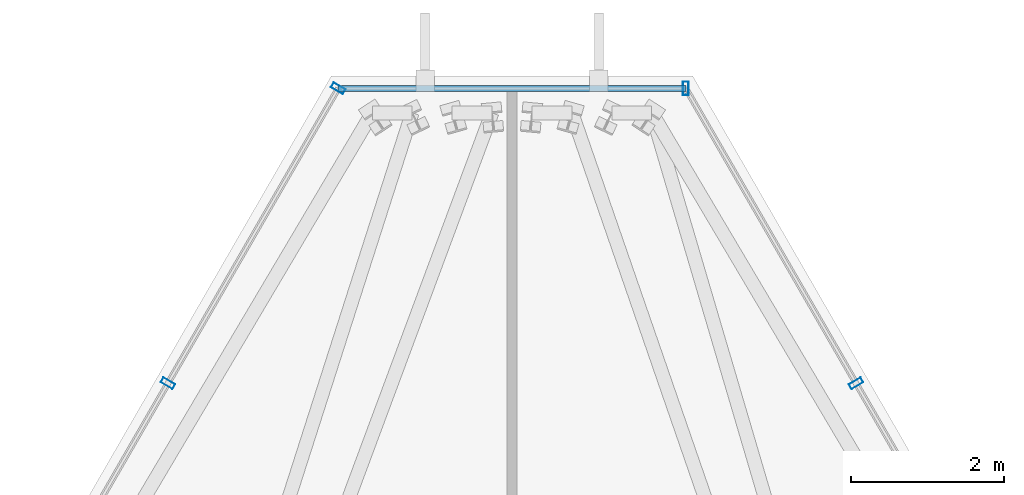
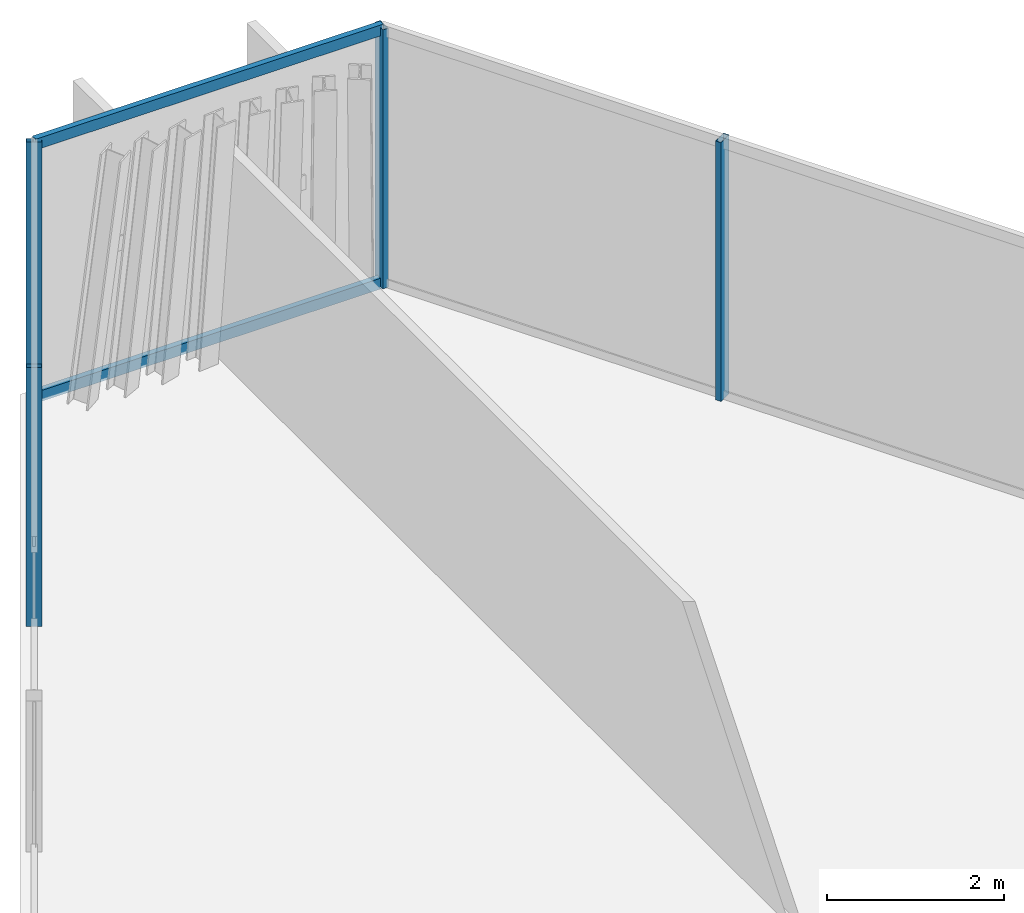
# One storey, part 25 of 32: 6 members, 3 elements without a shape of their own.
"""IFC4 building model written with IfcOpenShell, lengths in metres."""

from ifc_helpers import new_model, si_unit, direction, frame, origin, origin_2d, place, context, subcontext, project, spatial, hollow_rectangle, extrude, material, layer, layer_set, material_profile, profile_set, type_object, element, aggregate, save


model = new_model("IFC4")

# Units and contexts
model_context = context("Model", 3, precision=1e-05, world=origin(), true_north=direction((0.0, 1.0)))
body_context = subcontext(model_context, "Body", "Model", "MODEL_VIEW")
ifc_project = project(units=[si_unit("LENGTHUNIT", "METRE"), si_unit("AREAUNIT", "SQUARE_METRE"), si_unit("VOLUMEUNIT", "CUBIC_METRE"), si_unit("PLANEANGLEUNIT", "RADIAN"), si_unit("MASSUNIT", "GRAM", prefix="KILO")], contexts=[model_context])

# Site, building, storey
site_placement = place(None, origin())
site = spatial("IfcSite", under=ifc_project, at=site_placement, CompositionType="ELEMENT")
building_placement = place(site_placement, origin())
building = spatial("IfcBuilding", under=site, at=building_placement, Name="Ndaravel Arena Tower", CompositionType="ELEMENT")
storey_placement = place(building_placement, frame((0.0, 0.0, 290.89990234375)))
storey = spatial("IfcBuildingStorey", under=building, at=storey_placement, Name="L71", CompositionType="ELEMENT", Elevation=290.89990234375)

# Curtain wall, member
ifc_material_1 = material(Name="Aluminium", Category="aluminium")
ifc_layer_1 = layer(ifc_material_1, 0.179931640625)
ifc_layer_set_1 = layer_set([ifc_layer_1], Name="Aluminium")
curtain_wall_type_1 = type_object("IfcCurtainWallType", Name="CW-SYS-03", PredefinedType="NOTDEFINED", material=ifc_layer_set_1)
curtain_wall_1_placement = place(storey_placement, origin())
curtain_wall_1 = element("IfcCurtainWall", 1, at=curtain_wall_1_placement, inside=storey, type_object=curtain_wall_type_1, Name="L71 Faceted Crystal Curtain Wall CW-L71-E03", PredefinedType="NOTDEFINED")
ifc_material_2 = material(Name="Aluminium", Category="aluminium")
ifc_material_profile_1 = material_profile(ifc_material_2, hollow_rectangle(XDim=0.074951171875, YDim=0.179931640625, WallThickness=0.00390625, at=origin_2d()), Name="CW MULLION 75x180x4")
ifc_profile_set_1 = profile_set([ifc_material_profile_1], Name="Aluminium")
member_type_1 = type_object("IfcMemberType", Name="MEM-CW-MUL180", PredefinedType="MULLION", material=ifc_profile_set_1)
member_1_placement = place(storey_placement, frame((46.49853515625, 39.94189453125, 0.0), z_axis=(0.0, 0.0, 1.0), x_axis=(-0.5, 0.866025403784, 0.0)))
member_1 = element("IfcMember", 2, at=member_1_placement, type_object=member_type_1, Name="CW-L71-E03 Mullion 08", PredefinedType="MULLION", context=body_context, shape_type="SweptSolid", body=[
    extrude(hollow_rectangle(XDim=0.074951171875, YDim=0.179931640625, WallThickness=0.00390625, at=origin_2d()), origin(), (0.0, 0.0, 1.0), 3.580078125),
])
aggregate(curtain_wall_1, [member_1])

ifc_material_3 = material(Name="Aluminium", Category="aluminium")
ifc_layer_2 = layer(ifc_material_3, 0.179931640625)
ifc_layer_set_2 = layer_set([ifc_layer_2], Name="Aluminium")
curtain_wall_type_2 = type_object("IfcCurtainWallType", Name="CW-SYS-01", PredefinedType="NOTDEFINED", material=ifc_layer_set_2)
curtain_wall_2_placement = place(storey_placement, origin())
curtain_wall_2 = element("IfcCurtainWall", 3, at=curtain_wall_2_placement, inside=storey, type_object=curtain_wall_type_2, Name="L71 Faceted Crystal Curtain Wall CW-L71-E04", PredefinedType="NOTDEFINED")
member_2_placement = place(storey_placement, frame((44.2724609375, 43.797607421875, 0.0), z_axis=(0.0, 0.0, 1.0), x_axis=(-1.0, 0.0, 0.0)))
member_2 = element("IfcMember", 4, at=member_2_placement, type_object=member_type_1, Name="CW-L71-E04 Mullion 00", PredefinedType="MULLION", context=body_context, shape_type="SweptSolid", body=[
    extrude(hollow_rectangle(XDim=0.074951171875, YDim=0.179931640625, WallThickness=0.00390625, at=origin_2d()), origin(), (0.0, 0.0, 1.0), 3.580078125),
])

# Curtain wall, members
curtain_wall_3_placement = place(storey_placement, origin())
curtain_wall_3 = element("IfcCurtainWall", 5, at=curtain_wall_3_placement, inside=storey, type_object=curtain_wall_type_1, Name="L71 Faceted Crystal Curtain Wall CW-L71-E05", PredefinedType="NOTDEFINED")
member_3_placement = place(storey_placement, frame((39.7275390625, 43.797607421875, 0.0), z_axis=(0.0, 0.0, 1.0), x_axis=(-0.5, -0.866025403784, 0.0)))
member_3 = element("IfcMember", 6, at=member_3_placement, type_object=member_type_1, Name="CW-L71-E05 Mullion 00", PredefinedType="MULLION", context=body_context, shape_type="SweptSolid", body=[
    extrude(hollow_rectangle(XDim=0.074951171875, YDim=0.179931640625, WallThickness=0.00390625, at=origin_2d()), origin(), (0.0, 0.0, 1.0), 3.580078125),
])
member_4_placement = place(storey_placement, frame((37.50146484375, 39.94189453125, 0.0), z_axis=(0.0, 0.0, 1.0), x_axis=(-0.5, -0.866025403784, 0.0)))
member_4 = element("IfcMember", 7, at=member_4_placement, type_object=member_type_1, Name="CW-L71-E05 Mullion 01", PredefinedType="MULLION", context=body_context, shape_type="SweptSolid", body=[
    extrude(hollow_rectangle(XDim=0.074951171875, YDim=0.179931640625, WallThickness=0.00390625, at=origin_2d()), origin(), (0.0, 0.0, 1.0), 3.580078125),
])
aggregate(curtain_wall_3, [member_3, member_4])

# Member
ifc_material_4 = material(Name="Aluminium", Category="aluminium")
ifc_material_profile_2 = material_profile(ifc_material_4, hollow_rectangle(XDim=0.074951171875, YDim=0.14990234375, WallThickness=0.00390625, at=origin_2d()), Name="CW TRANSOM 75x150x4")
ifc_profile_set_2 = profile_set([ifc_material_profile_2], Name="Aluminium")
member_type_2 = type_object("IfcMemberType", Name="MEM-CW-TRN150", PredefinedType="USERDEFINED", material=ifc_profile_set_2)
member_5_placement = place(storey_placement, frame((44.2724609375, 43.797607421875, 0.0400390625), z_axis=(-1.0, 0.0, 0.0), x_axis=(0.0, -1.0, 0.0)))
member_5 = element("IfcMember", 8, at=member_5_placement, type_object=member_type_2, Name="CW-L71-E04 Transom 01", ObjectType="TRANSOM", PredefinedType="USERDEFINED", context=body_context, shape_type="SweptSolid", body=[
    extrude(hollow_rectangle(XDim=0.074951171875, YDim=0.14990234375, WallThickness=0.00390625, at=origin_2d()), origin(), (0.0, 0.0, 1.0), 4.544921875),
])

member_6_placement = place(storey_placement, frame((44.2724609375, 43.797607421875, 3.5400390625), z_axis=(-1.0, 0.0, 0.0), x_axis=(0.0, -1.0, 0.0)))
member_6 = element("IfcMember", 9, at=member_6_placement, type_object=member_type_2, Name="CW-L71-E04 Transom 02", ObjectType="TRANSOM", PredefinedType="USERDEFINED", context=body_context, shape_type="SweptSolid", body=[
    extrude(hollow_rectangle(XDim=0.074951171875, YDim=0.14990234375, WallThickness=0.00390625, at=origin_2d()), origin(), (0.0, 0.0, 1.0), 4.544921875),
])

aggregate(curtain_wall_2, [member_2, member_5, member_6])

save(model, "model.ifc")
